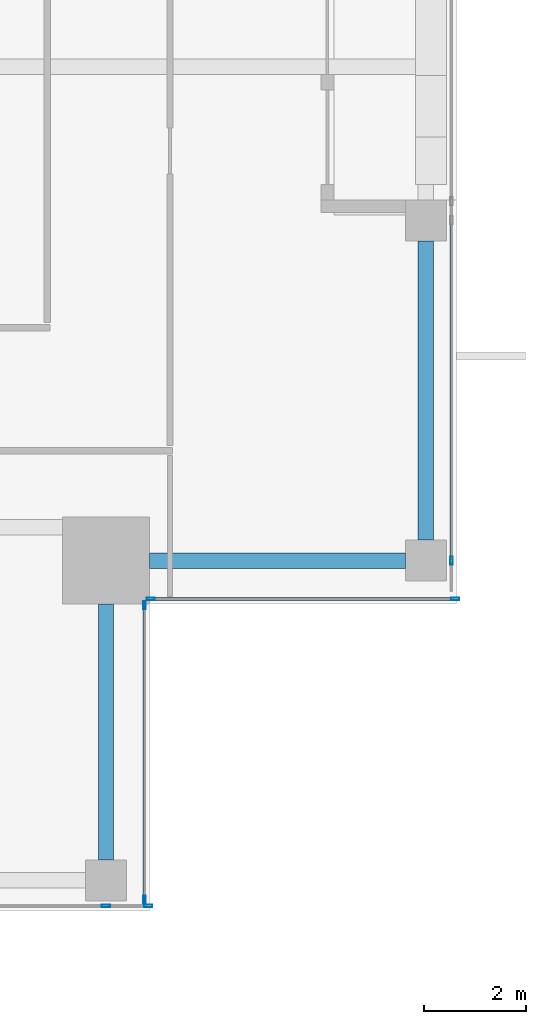
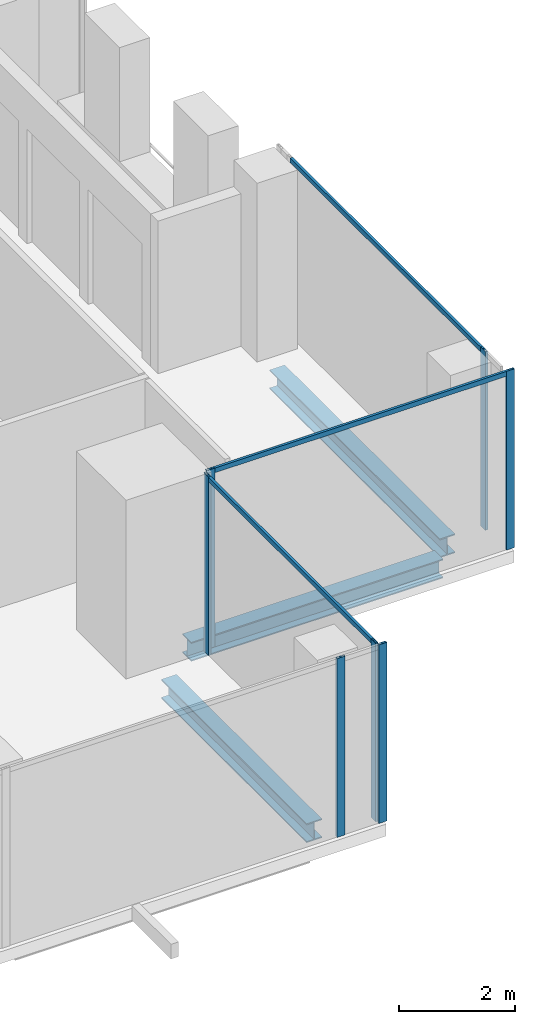
# One storey, part 8 of 29: 10 members, 3 beams, 4 elements without a shape of their own.
"""IFC4 building model written with IfcOpenShell, lengths in metres."""

from ifc_helpers import new_model, si_unit, direction, frame, origin, origin_2d, place, context, subcontext, project, spatial, hollow_rectangle, i_section, extrude, source, transform, mapped, material, material_profile, profile_set, type_object, element, aggregate, save


model = new_model("IFC4")

# Units and contexts
model_context = context("Model", 3, precision=1e-05, world=origin(), true_north=direction((0.0, 1.0)))
body_context = subcontext(model_context, "Body", "Model", "MODEL_VIEW")
ifc_project = project(units=[si_unit("LENGTHUNIT", "METRE"), si_unit("AREAUNIT", "SQUARE_METRE"), si_unit("VOLUMEUNIT", "CUBIC_METRE"), si_unit("PLANEANGLEUNIT", "RADIAN"), si_unit("MASSUNIT", "GRAM", prefix="KILO")], contexts=[model_context])

# Site, building, storey
site_placement = place(None, origin())
site = spatial("IfcSite", under=ifc_project, at=site_placement, CompositionType="ELEMENT")
building_placement = place(site_placement, origin())
building = spatial("IfcBuilding", under=site, at=building_placement, Name="Khomas Fold Tower", CompositionType="ELEMENT")
storey_placement = place(building_placement, frame((0.0, 0.0, 290.199951171875)))
storey = spatial("IfcBuildingStorey", under=building, at=storey_placement, Name="L65", CompositionType="ELEMENT", Elevation=290.199951171875)

# Beams
ifc_material_1 = material(Name="Steel S355", Category="steel")
ifc_material_profile_1 = material_profile(ifc_material_1, i_section(OverallWidth=0.300048828125, OverallDepth=0.39990234375, WebThickness=0.013427734375, FlangeThickness=0.02392578125, at=origin_2d()), Name="HE 400 B")
ifc_profile_set_1 = profile_set([ifc_material_profile_1], Name="Steel S355")
beam_type = type_object("IfcBeamType", Name="HE 400 B spandrel SB5", PredefinedType="SPANDREL", material=ifc_profile_set_1)
shared_shape_1 = source(origin(), body_context, "Body", "SweptSolid", [
    extrude(i_section(OverallWidth=0.300048828125, OverallDepth=0.39990234375, WebThickness=0.013427734375, FlangeThickness=0.02392578125, at=origin_2d()), origin(), (0.0, 0.0, 1.0), 5.85009765625),
])
beam_placement = place(storey_placement, frame((47.39990234375, 13.25, -0.449951171875), z_axis=(0.0, 1.0, 0.0), x_axis=(-1.0, 0.0, 0.0)))
element("IfcBeam", 1, at=beam_placement, inside=storey, type_object=beam_type, Name="SB5", PredefinedType="SPANDREL", context=body_context, shape_type="MappedRepresentation", body=[
    mapped(shared_shape_1, transform((0.0, 0.0, 0.0))),
])
shared_shape_2 = source(origin(), body_context, "Body", "SweptSolid", [
    extrude(i_section(OverallWidth=0.300048828125, OverallDepth=0.39990234375, WebThickness=0.013427734375, FlangeThickness=0.02392578125, at=origin_2d()), origin(), (0.0, 0.0, 1.0), 5.0),
])
for number, where, z_axis, x_axis, name in (
    (2, (41.14990234375, 7.0, -0.449951171875), (0.0, 1.0, 0.0), (-1.0, 0.0, 0.0), "SB5"),
    (3, (42.0, 12.85009765625, -0.449951171875), (1.0, 0.0, 0.0), (0.0, 1.0, 0.0), "SB5"),
):
    element("IfcBeam", number, at=place(storey_placement, frame(where, z_axis=z_axis, x_axis=x_axis)), inside=storey, type_object=beam_type, Name=name, PredefinedType="SPANDREL", context=body_context, shape_type="MappedRepresentation", body=[
        mapped(shared_shape_2, transform((0.0, 0.0, 0.0))),
    ])

# Curtain wall, members
ifc_material_2 = material(Name="Aluminium framed double glazing", Category="aluminium")
curtain_wall_type = type_object("IfcCurtainWallType", Name="SK-Unitised clear-glass wall, upper floors CW3", PredefinedType="NOTDEFINED", material=ifc_material_2)
curtain_wall_1_placement = place(storey_placement, origin())
curtain_wall_1 = element("IfcCurtainWall", 4, at=curtain_wall_1_placement, inside=storey, type_object=curtain_wall_type, Name="CW3 run L65 00-0", PredefinedType="NOTDEFINED")
ifc_material_3 = material(Name="Aluminium", Category="aluminium")
ifc_material_profile_2 = material_profile(ifc_material_3, hollow_rectangle(XDim=0.050048828125, YDim=0.159912109375, WallThickness=0.00390625, at=origin_2d()), Name="SK-Unitised clear-glass wall, upper floors mullion CW3-M")
ifc_profile_set_2 = profile_set([ifc_material_profile_2], Name="Aluminium")
member_type_1 = type_object("IfcMemberType", Name="SK-Unitised clear-glass wall, upper floors mullion CW3-M", PredefinedType="MULLION", material=ifc_profile_set_2)
shared_shape_3 = source(origin(), body_context, "Body", "SweptSolid", [
    extrude(hollow_rectangle(XDim=0.050048828125, YDim=0.159912109375, WallThickness=0.00390625, at=origin_2d()), origin(), (0.0, 0.0, 1.0), 3.75),
])
member_1_placement = place(storey_placement, frame((41.14990234375, 6.10009765625, 0.0), z_axis=(0.0, 0.0, 1.0), x_axis=(0.0, 1.0, 0.0)))
member_1 = element("IfcMember", 5, at=member_1_placement, type_object=member_type_1, Name="CW3 mullion 6", PredefinedType="MULLION", context=body_context, shape_type="MappedRepresentation", body=[
    mapped(shared_shape_3, transform((0.0, 0.0, 0.0))),
])
member_2_placement = place(storey_placement, frame((41.97509765625, 6.10009765625, 0.0), z_axis=(0.0, 0.0, 1.0), x_axis=(0.0, 1.0, 0.0)))
member_2 = element("IfcMember", 6, at=member_2_placement, type_object=member_type_1, Name="CW3 mullion 7", PredefinedType="MULLION", context=body_context, shape_type="MappedRepresentation", body=[
    mapped(shared_shape_3, transform((0.0, 0.0, 0.0))),
])
aggregate(curtain_wall_1, [member_1, member_2])

curtain_wall_2_placement = place(storey_placement, origin())
curtain_wall_2 = element("IfcCurtainWall", 7, at=curtain_wall_2_placement, inside=storey, type_object=curtain_wall_type, Name="CW3 corner return L65 01", PredefinedType="NOTDEFINED")
member_3_placement = place(storey_placement, frame((41.89990234375, 6.22509765625, 0.0), z_axis=(0.0, 0.0, 1.0), x_axis=(-1.0, 0.0, 0.0)))
member_3 = element("IfcMember", 8, at=member_3_placement, type_object=member_type_1, Name="CW3 mullion 1", PredefinedType="MULLION", context=body_context, shape_type="MappedRepresentation", body=[
    mapped(shared_shape_3, transform((0.0, 0.0, 0.0))),
])
member_4_placement = place(storey_placement, frame((41.89990234375, 11.97509765625, 0.0), z_axis=(0.0, 0.0, 1.0), x_axis=(-1.0, 0.0, 0.0)))
member_4 = element("IfcMember", 9, at=member_4_placement, type_object=member_type_1, Name="CW3 mullion 2", PredefinedType="MULLION", context=body_context, shape_type="MappedRepresentation", body=[
    mapped(shared_shape_3, transform((0.0, 0.0, 0.0))),
])

curtain_wall_3_placement = place(storey_placement, origin())
curtain_wall_3 = element("IfcCurtainWall", 10, at=curtain_wall_3_placement, inside=storey, type_object=curtain_wall_type, Name="CW3 corner return L65 02", PredefinedType="NOTDEFINED")
member_5_placement = place(storey_placement, frame((42.02490234375, 12.10009765625, 0.0), z_axis=(0.0, 0.0, 1.0), x_axis=(0.0, 1.0, 0.0)))
member_5 = element("IfcMember", 11, at=member_5_placement, type_object=member_type_1, Name="CW3 mullion 1", PredefinedType="MULLION", context=body_context, shape_type="MappedRepresentation", body=[
    mapped(shared_shape_3, transform((0.0, 0.0, 0.0))),
])
member_6_placement = place(storey_placement, frame((47.97509765625, 12.10009765625, 0.0), z_axis=(0.0, 0.0, 1.0), x_axis=(0.0, 1.0, 0.0)))
member_6 = element("IfcMember", 12, at=member_6_placement, type_object=member_type_1, Name="CW3 mullion 2", PredefinedType="MULLION", context=body_context, shape_type="MappedRepresentation", body=[
    mapped(shared_shape_3, transform((0.0, 0.0, 0.0))),
])

curtain_wall_4_placement = place(storey_placement, origin())
curtain_wall_4 = element("IfcCurtainWall", 13, at=curtain_wall_4_placement, inside=storey, type_object=curtain_wall_type, Name="CW3 run L65 03-0", PredefinedType="NOTDEFINED")
member_7_placement = place(storey_placement, frame((47.89990234375, 12.85009765625, 0.0), z_axis=(0.0, 0.0, 1.0), x_axis=(-1.0, 0.0, 0.0)))
member_7 = element("IfcMember", 14, at=member_7_placement, type_object=member_type_1, Name="CW3 mullion 2", PredefinedType="MULLION", context=body_context, shape_type="MappedRepresentation", body=[
    mapped(shared_shape_3, transform((0.0, 0.0, 0.0))),
])
ifc_material_4 = material(Name="Aluminium", Category="aluminium")
ifc_material_profile_3 = material_profile(ifc_material_4, hollow_rectangle(XDim=0.050048828125, YDim=0.10009765625, WallThickness=0.00390625, at=origin_2d()), Name="SK-Unitised clear-glass wall, upper floors transom CW3-T")
ifc_profile_set_3 = profile_set([ifc_material_profile_3], Name="Aluminium")
member_type_2 = type_object("IfcMemberType", Name="SK-Unitised clear-glass wall, upper floors transom CW3-T", PredefinedType="USERDEFINED", material=ifc_profile_set_3)
shared_shape_4 = source(origin(), body_context, "Body", "SweptSolid", [
    extrude(hollow_rectangle(XDim=0.050048828125, YDim=0.10009765625, WallThickness=0.00390625, at=origin_2d()), origin(), (0.0, 0.0, 1.0), 6.60009765625),
])
member_8_placement = place(storey_placement, frame((47.89990234375, 12.875, 3.699951171875), z_axis=(0.0, 1.0, 0.0), x_axis=(-1.0, 0.0, 0.0)))
member_8 = element("IfcMember", 15, at=member_8_placement, type_object=member_type_2, Name="CW3 transom 2", ObjectType="TRANSOM", PredefinedType="USERDEFINED", context=body_context, shape_type="MappedRepresentation", body=[
    mapped(shared_shape_4, transform((0.0, 0.0, 0.0))),
])
aggregate(curtain_wall_4, [member_7, member_8])

# Member
shared_shape_5 = source(origin(), body_context, "Body", "SweptSolid", [
    extrude(hollow_rectangle(XDim=0.050048828125, YDim=0.10009765625, WallThickness=0.00390625, at=origin_2d()), origin(), (0.0, 0.0, 1.0), 5.699951171875),
])
member_9_placement = place(storey_placement, frame((41.89990234375, 6.25, 3.699951171875), z_axis=(0.0, 1.0, 0.0), x_axis=(-1.0, 0.0, 0.0)))
member_9 = element("IfcMember", 16, at=member_9_placement, type_object=member_type_2, Name="CW3 transom 1", ObjectType="TRANSOM", PredefinedType="USERDEFINED", context=body_context, shape_type="MappedRepresentation", body=[
    mapped(shared_shape_5, transform((0.0, 0.0, 0.0))),
])

aggregate(curtain_wall_2, [member_3, member_4, member_9])

shared_shape_6 = source(origin(), body_context, "Body", "SweptSolid", [
    extrude(hollow_rectangle(XDim=0.050048828125, YDim=0.10009765625, WallThickness=0.00390625, at=origin_2d()), origin(), (0.0, 0.0, 1.0), 5.89990234375),
])
member_10_placement = place(storey_placement, frame((42.050048828125, 12.10009765625, 3.699951171875), z_axis=(1.0, 0.0, 0.0), x_axis=(0.0, 1.0, 0.0)))
member_10 = element("IfcMember", 17, at=member_10_placement, type_object=member_type_2, Name="CW3 transom 1", ObjectType="TRANSOM", PredefinedType="USERDEFINED", context=body_context, shape_type="MappedRepresentation", body=[
    mapped(shared_shape_6, transform((0.0, 0.0, 0.0))),
])

aggregate(curtain_wall_3, [member_5, member_6, member_10])

save(model, "model.ifc")
